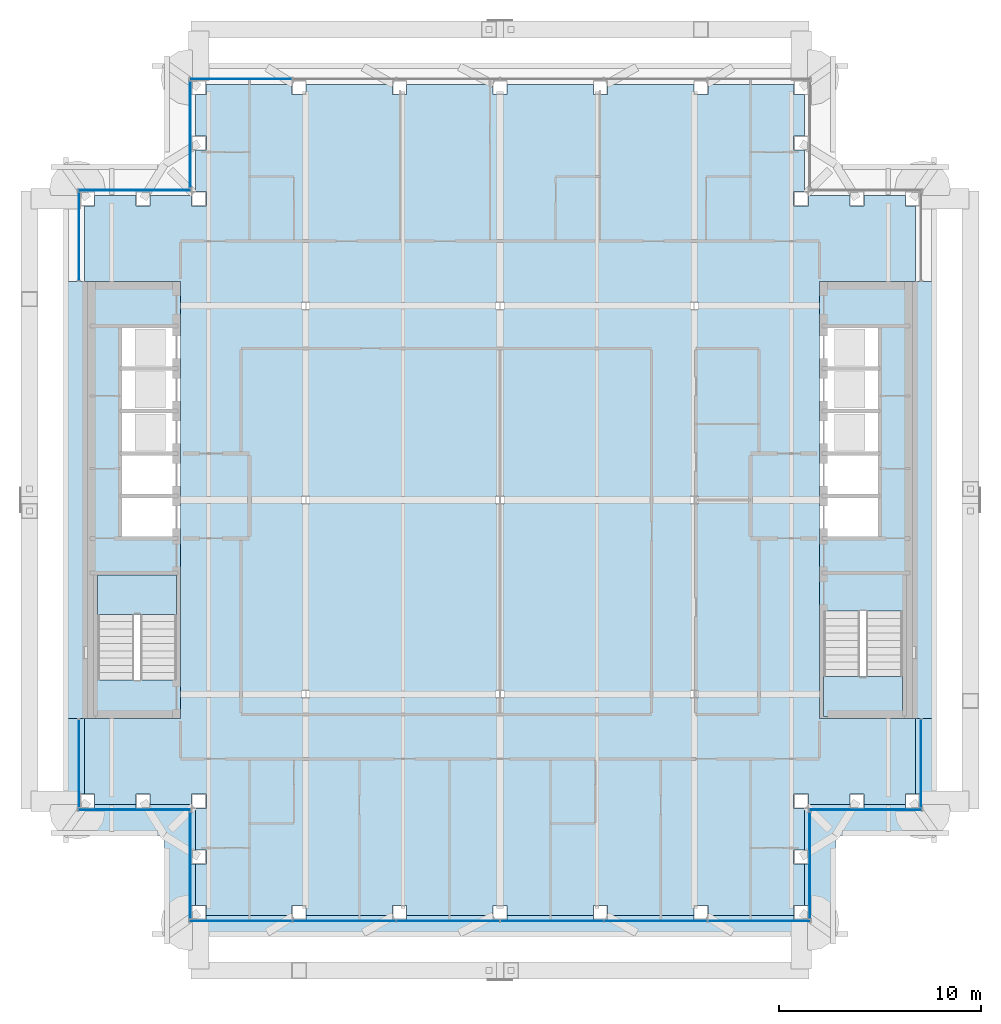
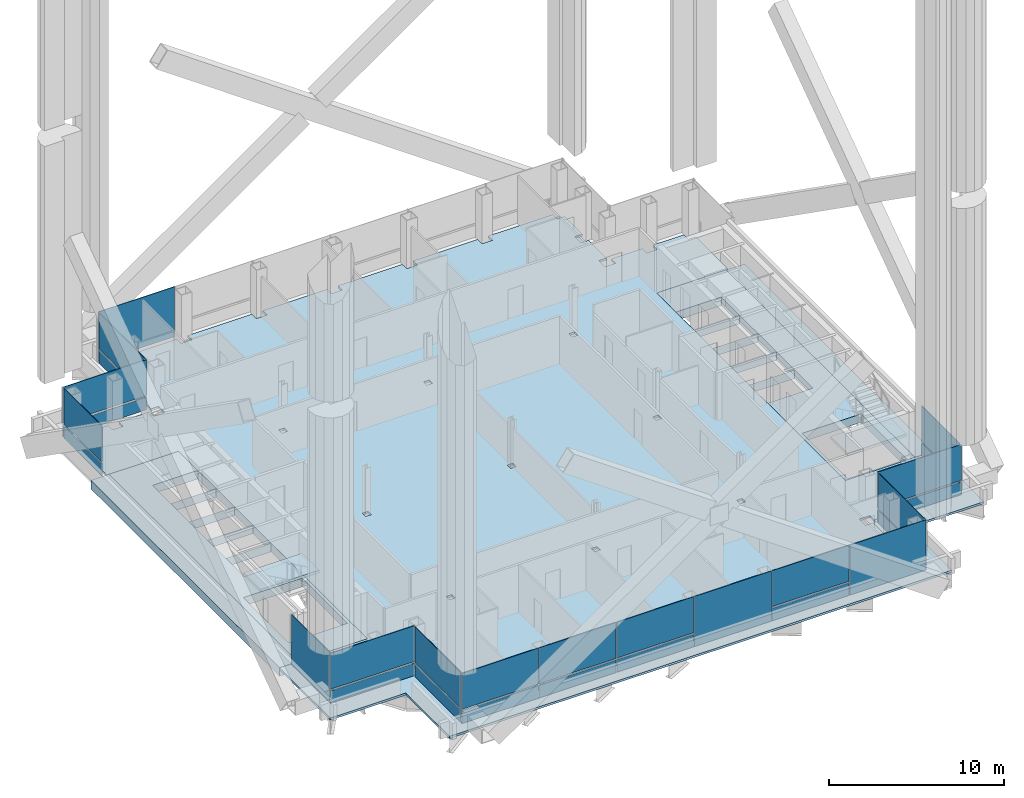
# One storey, part 12 of 22: 28 plates, 8 slabs, 13 elements without a shape of their own.
"""IFC4 building model written with IfcOpenShell, lengths in metres."""

import ifcopenshell
import ifcopenshell.guid

model = None  # the IFC model being written
_history = None  # IfcOwnerHistory: only IFC2X3 demands one
_inside = {}  # id of a spatial element -> (the spatial element, [elements in it])
_under = {}  # id of a project, library or spatial element -> (it, [spatial elements below it])
_declared = {}  # id of a project -> (the project, [libraries it declares])
_typed = {}  # id of a type object -> (the type object, [elements of that type])
_made_of = {}  # id of a material, layer set ... -> (it, [elements and type objects made of it])


def new_model(schema):
    """Start an empty IFC model of exactly this schema.

    Asked for "IFC4X3", IfcOpenShell would pick the latest addendum, in which some entities
    have other attributes; the version numbers below select the first issue.
    IFC2X3 requires an IfcOwnerHistory on every rooted entity: one is made here for all.
    """
    global model, _history
    if schema == "IFC4X3":
        model = ifcopenshell.file(schema_version=(4, 3, 0, 0))
    else:
        model = ifcopenshell.file(schema=schema)
    _inside.clear()
    _under.clear()
    _declared.clear()
    _typed.clear()
    _made_of.clear()
    _history = None
    if model.schema == "IFC2X3":
        org = make("IfcOrganization", Name="unknown")
        user = make(
            "IfcPersonAndOrganization",
            ThePerson=make("IfcPerson", FamilyName="unknown"),
            TheOrganization=org,
        )
        app = make(
            "IfcApplication",
            ApplicationDeveloper=org,
            Version="unknown",
            ApplicationFullName="unknown",
            ApplicationIdentifier="unknown",
        )
        _history = make(
            "IfcOwnerHistory",
            OwningUser=user,
            OwningApplication=app,
            ChangeAction="ADDED",
            CreationDate=0,
        )
    return model


def make(cls, **values):
    """One entity of the class cls with the attributes given. An attribute that is None is left unset."""
    return model.create_entity(
        cls, **{name: value for name, value in values.items() if value is not None}
    )


def rooted(cls, **values):
    """An entity with a GlobalId (a new one), such as an element, a storey or a relation."""
    return make(cls, GlobalId=ifcopenshell.guid.new(), OwnerHistory=_history, **values)


def si_unit(unit_type, name, prefix=None):
    """IfcSIUnit, for example si_unit("LENGTHUNIT", "METRE", prefix="MILLI")."""
    return make("IfcSIUnit", UnitType=unit_type, Prefix=prefix, Name=name)


def assignment(units):
    """IfcUnitAssignment: the units of a project."""
    return None if units is None else make("IfcUnitAssignment", Units=units)


def point(xyz):
    """IfcCartesianPoint."""
    return None if xyz is None else make("IfcCartesianPoint", Coordinates=xyz)


def direction(xyz):
    """IfcDirection."""
    return None if xyz is None else make("IfcDirection", DirectionRatios=xyz)


def frame(location, z_axis=None, x_axis=None):
    """IfcAxis2Placement3D, a coordinate frame: its origin and axes. An axis left out is left unset."""
    return make(
        "IfcAxis2Placement3D",
        Location=point(location),
        Axis=direction(z_axis),
        RefDirection=direction(x_axis),
    )


def frame_2d(location, x_axis=None):
    """IfcAxis2Placement2D, a coordinate frame in the plane: its origin and x axis."""
    return make(
        "IfcAxis2Placement2D", Location=point(location), RefDirection=direction(x_axis)
    )


def origin():
    """The frame at (0, 0, 0) with its axes left unset."""
    return frame((0.0, 0.0, 0.0))


def origin_2d():
    """The frame at (0, 0) in the plane with its x axis left unset."""
    return frame_2d((0.0, 0.0))


def place(relative_to, where):
    """IfcLocalPlacement: puts the frame where relative to a parent placement (None: the world)."""
    return make(
        "IfcLocalPlacement", PlacementRelTo=relative_to, RelativePlacement=where
    )


def context(
    kind, dimensions, precision=None, world=None, true_north=None, identifier=None
):
    """IfcGeometricRepresentationContext, for example the 3D "Model" context."""
    return make(
        "IfcGeometricRepresentationContext",
        ContextIdentifier=identifier,
        ContextType=kind,
        CoordinateSpaceDimension=dimensions,
        Precision=precision,
        WorldCoordinateSystem=world,
        TrueNorth=true_north,
    )


def subcontext(parent, identifier, kind, view, scale=None):
    """IfcGeometricRepresentationSubContext, for example "Body" below "Model"."""
    return make(
        "IfcGeometricRepresentationSubContext",
        ContextIdentifier=identifier,
        ContextType=kind,
        ParentContext=parent,
        TargetScale=scale,
        TargetView=view,
    )


def project(units=None, contexts=None):
    """IfcProject with its units and contexts."""
    return rooted(
        "IfcProject",
        Name="project",
        RepresentationContexts=contexts,
        UnitsInContext=assignment(units),
    )


def spatial(cls, under=None, at=None, **own):
    """A site, building, storey or space (cls), placed at a placement, below another one or the project."""
    s = rooted(cls, ObjectPlacement=at, **own)
    if under is not None:
        _under.setdefault(under.id(), (under, []))[1].append(s)
    return s


def polyline(points):
    """IfcPolyline through the points."""
    return make("IfcPolyline", Points=[point(p) for p in points])


def profile(cls, at=None, kind="AREA", **sizes):
    """A parametric profile (cls). Its sizes go by their IFC names, for example OverallWidth=200.0."""
    return make(cls, ProfileType=kind, Position=at, **sizes)


def rectangle(**sizes):
    """IfcRectangleProfileDef."""
    return profile("IfcRectangleProfileDef", **sizes)


def outline(outer, holes=None, kind="AREA"):
    """IfcArbitraryClosedProfileDef: a profile drawn as a closed curve; with holes, ...WithVoids."""
    if holes is None:
        return make("IfcArbitraryClosedProfileDef", ProfileType=kind, OuterCurve=outer)
    return make(
        "IfcArbitraryProfileDefWithVoids",
        ProfileType=kind,
        OuterCurve=outer,
        InnerCurves=holes,
    )


def extrude(swept, where, along, depth):
    """IfcExtrudedAreaSolid: the profile swept, set in the frame where, extruded along a direction by depth."""
    return make(
        "IfcExtrudedAreaSolid",
        SweptArea=swept,
        Position=where,
        ExtrudedDirection=direction(along),
        Depth=depth,
    )


def shape(context_of_items, identifier, shape_type, items):
    """IfcShapeRepresentation: the items that make up one representation, for example the "Body"."""
    return make(
        "IfcShapeRepresentation",
        ContextOfItems=context_of_items,
        RepresentationIdentifier=identifier,
        RepresentationType=shape_type,
        Items=items,
    )


def material(Name=None, Category=None):
    """IfcMaterial."""
    return make("IfcMaterial", Name=Name, Category=Category)


def layer(
    of_material, thickness, ventilated=None, Name=None, Category=None, Priority=None
):
    """IfcMaterialLayer: one layer of a wall or slab, of a material (None: an air gap)."""
    return make(
        "IfcMaterialLayer",
        Material=of_material,
        LayerThickness=thickness,
        IsVentilated=ventilated,
        Name=Name,
        Category=Category,
        Priority=Priority,
    )


def layer_set(layers, Name=None):
    """IfcMaterialLayerSet."""
    return make("IfcMaterialLayerSet", MaterialLayers=layers, LayerSetName=Name)


def made_of(thing, what):
    """Note that an element or type object is made of a material, layer set ...; save() writes the relation."""
    if what is not None:
        _made_of.setdefault(what.id(), (what, []))[1].append(thing)
    return thing


def type_object(cls, material=None, **own):
    """A type object (cls), such as IfcWallType, which elements share."""
    return made_of(rooted(cls, **own), material)


def element(
    cls,
    number,
    at=None,
    inside=None,
    cuts=None,
    type_object=None,
    material=None,
    context=None,
    identifier="Body",
    shape_type=None,
    held_by="IfcProductDefinitionShape",
    body=None,
    shapes=None,
    **own,
):
    """One element of the class cls, such as IfcWall. Its Tag is "e" and its number.

    at: its placement. inside: the storey or other place that contains it. cuts: it is an
    opening in that element (IfcRelVoidsElement). A single representation is given by context,
    identifier, shape_type and body (its items); several are given by shapes. held_by: the class
    of the entity that holds the representations. save() writes the other relations.
    """
    e = rooted(cls, Tag="e%d" % number, ObjectPlacement=at, **own)
    if body is not None:
        shapes = [shape(context, identifier, shape_type, body)]
    if shapes is not None:
        e.Representation = make(held_by, Representations=shapes)
    if inside is not None:
        _inside.setdefault(inside.id(), (inside, []))[1].append(e)
    if cuts is not None:
        rooted(
            "IfcRelVoidsElement", RelatingBuildingElement=cuts, RelatedOpeningElement=e
        )
    if type_object is not None:
        _typed.setdefault(type_object.id(), (type_object, []))[1].append(e)
    return made_of(e, material)


def aggregate(whole, parts):
    """IfcRelAggregates: a whole, such as a stair, and the parts it consists of."""
    return rooted("IfcRelAggregates", RelatingObject=whole, RelatedObjects=parts)


def save(model, path):
    """Write the relations noted so far, then the file.

    IfcRelAggregates (storeys below a building ...), IfcRelContainedInSpatialStructure (elements
    in a storey), IfcRelDefinesByType, IfcRelAssociatesMaterial and IfcRelDeclares: one each for
    every whole, place, type object, material and project.
    """
    for whole, parts in _under.values():
        aggregate(whole, parts)
    for where, things in _inside.values():
        rooted(
            "IfcRelContainedInSpatialStructure",
            RelatedElements=things,
            RelatingStructure=where,
        )
    for kind, things in _typed.values():
        rooted("IfcRelDefinesByType", RelatedObjects=things, RelatingType=kind)
    for what, things in _made_of.values():
        rooted("IfcRelAssociatesMaterial", RelatedObjects=things, RelatingMaterial=what)
    for by, libraries in _declared.values():
        rooted("IfcRelDeclares", RelatingContext=by, RelatedDefinitions=libraries)
    model.write(path)


model = new_model("IFC4")

# Units and contexts
model_context = context("Model", 3, precision=1e-05, world=origin(), true_north=direction((0.0, 1.0)))
body_context = subcontext(model_context, "Body", "Model", "MODEL_VIEW")
ifc_project = project(units=[si_unit("LENGTHUNIT", "METRE"), si_unit("AREAUNIT", "SQUARE_METRE"), si_unit("VOLUMEUNIT", "CUBIC_METRE"), si_unit("PLANEANGLEUNIT", "RADIAN"), si_unit("MASSUNIT", "GRAM", prefix="KILO")], contexts=[model_context])

# Site, building, storey
site_placement = place(None, origin())
site = spatial("IfcSite", under=ifc_project, at=site_placement, CompositionType="ELEMENT")
building_placement = place(site_placement, origin())
building = spatial("IfcBuilding", under=site, at=building_placement, Name="Cobrizo Arcos Hotel Tower", CompositionType="ELEMENT")
storey_placement = place(building_placement, frame((0.0, 0.0, 191.0)))
storey = spatial("IfcBuildingStorey", under=building, at=storey_placement, Name="L49", CompositionType="ELEMENT", Elevation=191.0)

# Curtain wall, plates
ifc_material_1 = material(Name="Aluminium 6063-T6 anodised bronze", Category="aluminium")
curtain_wall_type = type_object("IfcCurtainWallType", Name="CW-A guest facade", PredefinedType="NOTDEFINED", material=ifc_material_1)
curtain_wall_1_placement = place(storey_placement, origin())
curtain_wall_1 = element("IfcCurtainWall", 1, at=curtain_wall_1_placement, inside=storey, type_object=curtain_wall_type, Name="CW-A L49 S face", PredefinedType="NOTDEFINED")
ifc_material_2 = material(Name="Glass clear laminated low-e", Category="glass")
ifc_layer_1 = layer(ifc_material_2, 0.0400390625)
ifc_layer_set_1 = layer_set([ifc_layer_1], Name="CW-A glass panel")
plate_type_1 = type_object("IfcPlateType", Name="CW-A glass panel", PredefinedType="CURTAIN_PANEL", material=ifc_layer_set_1)
plate_1_placement = place(storey_placement, frame((-12.818359375, -20.824951171875, 0.990234375), z_axis=(0.0, 0.0, 1.0), x_axis=(1.0, 0.0, 0.0)))
plate_1 = element("IfcPlate", 2, at=plate_1_placement, type_object=plate_type_1, Name="CW-A glass panel 1696", PredefinedType="CURTAIN_PANEL", context=body_context, shape_type="SweptSolid", body=[
    extrude(rectangle(XDim=5.043212890625, YDim=0.0400390625, at=origin_2d()), origin(), (0.0, 0.0, 1.0), 2.510009765625),
])
plate_2_placement = place(storey_placement, frame((-7.699951171875, -20.824951171875, 0.990234375), z_axis=(0.0, 0.0, 1.0), x_axis=(1.0, 0.0, 0.0)))
plate_2 = element("IfcPlate", 3, at=plate_2_placement, type_object=plate_type_1, Name="CW-A glass panel 1697", PredefinedType="CURTAIN_PANEL", context=body_context, shape_type="SweptSolid", body=[
    extrude(rectangle(XDim=5.0732421875, YDim=0.0400390625, at=origin_2d()), origin(), (0.0, 0.0, 1.0), 2.510009765625),
])
plate_3_placement = place(storey_placement, frame((-2.566650390625, -20.824951171875, 0.990234375), z_axis=(0.0, 0.0, 1.0), x_axis=(1.0, 0.0, 0.0)))
plate_3 = element("IfcPlate", 4, at=plate_3_placement, type_object=plate_type_1, Name="CW-A glass panel 1698", PredefinedType="CURTAIN_PANEL", context=body_context, shape_type="SweptSolid", body=[
    extrude(rectangle(XDim=5.0732421875, YDim=0.0400390625, at=origin_2d()), origin(), (0.0, 0.0, 1.0), 2.510009765625),
])
plate_4_placement = place(storey_placement, frame((7.699951171875, -20.824951171875, 0.990234375), z_axis=(0.0, 0.0, 1.0), x_axis=(1.0, 0.0, 0.0)))
plate_4 = element("IfcPlate", 5, at=plate_4_placement, type_object=plate_type_1, Name="CW-A glass panel 1700", PredefinedType="CURTAIN_PANEL", context=body_context, shape_type="SweptSolid", body=[
    extrude(rectangle(XDim=5.0732421875, YDim=0.0400390625, at=origin_2d()), origin(), (0.0, 0.0, 1.0), 2.510009765625),
])

# Curtain wall, plate
curtain_wall_2_placement = place(storey_placement, origin())
curtain_wall_2 = element("IfcCurtainWall", 6, at=curtain_wall_2_placement, inside=storey, type_object=curtain_wall_type, Name="CW-A L49 E face", PredefinedType="NOTDEFINED")
plate_5_placement = place(storey_placement, frame((15.324951171875, -18.074951171875, 0.990234375), z_axis=(0.0, 0.0, 1.0), x_axis=(0.0, 1.0, 0.0)))
plate_5 = element("IfcPlate", 7, at=plate_5_placement, type_object=plate_type_1, Name="CW-A glass panel 1702", PredefinedType="CURTAIN_PANEL", context=body_context, shape_type="SweptSolid", body=[
    extrude(rectangle(XDim=5.22998046875, YDim=0.0400390625, at=origin_2d()), origin(), (0.0, 0.0, 1.0), 2.510009765625),
])

curtain_wall_3_placement = place(storey_placement, origin())
curtain_wall_3 = element("IfcCurtainWall", 8, at=curtain_wall_3_placement, inside=storey, type_object=curtain_wall_type, Name="CW-A L49 S face", PredefinedType="NOTDEFINED")
plate_6_placement = place(storey_placement, frame((18.074951171875, -15.324951171875, 0.990234375), z_axis=(0.0, 0.0, 1.0), x_axis=(1.0, 0.0, 0.0)))
plate_6 = element("IfcPlate", 9, at=plate_6_placement, type_object=plate_type_1, Name="CW-A glass panel 1703", PredefinedType="CURTAIN_PANEL", context=body_context, shape_type="SweptSolid", body=[
    extrude(rectangle(XDim=5.530029296875, YDim=0.0400390625, at=origin_2d()), origin(), (0.0, 0.0, 1.0), 2.510009765625),
])

curtain_wall_4_placement = place(storey_placement, origin())
curtain_wall_4 = element("IfcCurtainWall", 10, at=curtain_wall_4_placement, inside=storey, type_object=curtain_wall_type, Name="CW-A L49 E face", PredefinedType="NOTDEFINED")
plate_7_placement = place(storey_placement, frame((20.824951171875, -13.02490234375, 0.990234375), z_axis=(0.0, 0.0, 1.0), x_axis=(0.0, 1.0, 0.0)))
plate_7 = element("IfcPlate", 11, at=plate_7_placement, type_object=plate_type_1, Name="CW-A glass panel 1704", PredefinedType="CURTAIN_PANEL", context=body_context, shape_type="SweptSolid", body=[
    extrude(rectangle(XDim=4.330078125, YDim=0.0400390625, at=origin_2d()), origin(), (0.0, 0.0, 1.0), 2.510009765625),
])

curtain_wall_5_placement = place(storey_placement, origin())
curtain_wall_5 = element("IfcCurtainWall", 12, at=curtain_wall_5_placement, inside=storey, type_object=curtain_wall_type, Name="CW-A L49 W face", PredefinedType="NOTDEFINED")
plate_8_placement = place(storey_placement, frame((-15.324951171875, 18.074951171875, 0.990234375), z_axis=(0.0, 0.0, 1.0), x_axis=(0.0, -1.0, 0.0)))
plate_8 = element("IfcPlate", 13, at=plate_8_placement, type_object=plate_type_1, Name="CW-A glass panel 1714", PredefinedType="CURTAIN_PANEL", context=body_context, shape_type="SweptSolid", body=[
    extrude(rectangle(XDim=5.22998046875, YDim=0.0400390625, at=origin_2d()), origin(), (0.0, 0.0, 1.0), 2.510009765625),
])

curtain_wall_6_placement = place(storey_placement, origin())
curtain_wall_6 = element("IfcCurtainWall", 14, at=curtain_wall_6_placement, inside=storey, type_object=curtain_wall_type, Name="CW-A L49 N face", PredefinedType="NOTDEFINED")
plate_9_placement = place(storey_placement, frame((-18.074951171875, 15.324951171875, 0.990234375), z_axis=(0.0, 0.0, 1.0), x_axis=(-1.0, 0.0, 0.0)))
plate_9 = element("IfcPlate", 15, at=plate_9_placement, type_object=plate_type_1, Name="CW-A glass panel 1715", PredefinedType="CURTAIN_PANEL", context=body_context, shape_type="SweptSolid", body=[
    extrude(rectangle(XDim=5.530029296875, YDim=0.0400390625, at=origin_2d()), origin(), (0.0, 0.0, 1.0), 2.510009765625),
])

curtain_wall_7_placement = place(storey_placement, origin())
curtain_wall_7 = element("IfcCurtainWall", 16, at=curtain_wall_7_placement, inside=storey, type_object=curtain_wall_type, Name="CW-A L49 W face", PredefinedType="NOTDEFINED")
plate_10_placement = place(storey_placement, frame((-20.824951171875, 13.02490234375, 0.990234375), z_axis=(0.0, 0.0, 1.0), x_axis=(0.0, -1.0, 0.0)))
plate_10 = element("IfcPlate", 17, at=plate_10_placement, type_object=plate_type_1, Name="CW-A glass panel 1716", PredefinedType="CURTAIN_PANEL", context=body_context, shape_type="SweptSolid", body=[
    extrude(rectangle(XDim=4.330078125, YDim=0.0400390625, at=origin_2d()), origin(), (0.0, 0.0, 1.0), 2.510009765625),
])

curtain_wall_8_placement = place(storey_placement, origin())
curtain_wall_8 = element("IfcCurtainWall", 18, at=curtain_wall_8_placement, inside=storey, type_object=curtain_wall_type, Name="CW-A L49 S face", PredefinedType="NOTDEFINED")
plate_11_placement = place(storey_placement, frame((-18.074951171875, -15.324951171875, 0.990234375), z_axis=(0.0, 0.0, 1.0), x_axis=(1.0, 0.0, 0.0)))
plate_11 = element("IfcPlate", 19, at=plate_11_placement, type_object=plate_type_1, Name="CW-A glass panel 1718", PredefinedType="CURTAIN_PANEL", context=body_context, shape_type="SweptSolid", body=[
    extrude(rectangle(XDim=5.530029296875, YDim=0.0400390625, at=origin_2d()), origin(), (0.0, 0.0, 1.0), 2.510009765625),
])

curtain_wall_9_placement = place(storey_placement, origin())
curtain_wall_9 = element("IfcCurtainWall", 20, at=curtain_wall_9_placement, inside=storey, type_object=curtain_wall_type, Name="CW-A L49 W face", PredefinedType="NOTDEFINED")
plate_12_placement = place(storey_placement, frame((-15.324951171875, -18.074951171875, 0.990234375), z_axis=(0.0, 0.0, 1.0), x_axis=(0.0, -1.0, 0.0)))
plate_12 = element("IfcPlate", 21, at=plate_12_placement, type_object=plate_type_1, Name="CW-A glass panel 1719", PredefinedType="CURTAIN_PANEL", context=body_context, shape_type="SweptSolid", body=[
    extrude(rectangle(XDim=5.22998046875, YDim=0.0400390625, at=origin_2d()), origin(), (0.0, 0.0, 1.0), 2.510009765625),
])

# Plate
ifc_material_3 = material(Name="Aluminium composite panel pale metal", Category="aluminium")
ifc_layer_2 = layer(ifc_material_3, 0.0400390625)
ifc_layer_set_2 = layer_set([ifc_layer_2], Name="CW-A spandrel panel")
plate_type_2 = type_object("IfcPlateType", Name="CW-A spandrel panel", PredefinedType="CURTAIN_PANEL", material=ifc_layer_set_2)
plate_13_placement = place(storey_placement, frame((-12.818359375, -20.824951171875, 0.0), z_axis=(0.0, 0.0, 1.0), x_axis=(1.0, 0.0, 0.0)))
plate_13 = element("IfcPlate", 22, at=plate_13_placement, type_object=plate_type_2, Name="CW-A spandrel panel 1696", PredefinedType="CURTAIN_PANEL", context=body_context, shape_type="SweptSolid", body=[
    extrude(rectangle(XDim=5.043212890625, YDim=0.0400390625, at=origin_2d()), origin(), (0.0, 0.0, 1.0), 0.8701171875),
])

plate_14_placement = place(storey_placement, frame((-7.699951171875, -20.824951171875, 0.0), z_axis=(0.0, 0.0, 1.0), x_axis=(1.0, 0.0, 0.0)))
plate_14 = element("IfcPlate", 23, at=plate_14_placement, type_object=plate_type_2, Name="CW-A spandrel panel 1697", PredefinedType="CURTAIN_PANEL", context=body_context, shape_type="SweptSolid", body=[
    extrude(rectangle(XDim=5.0732421875, YDim=0.0400390625, at=origin_2d()), origin(), (0.0, 0.0, 1.0), 0.8701171875),
])

plate_15_placement = place(storey_placement, frame((-2.566650390625, -20.824951171875, 0.0), z_axis=(0.0, 0.0, 1.0), x_axis=(1.0, 0.0, 0.0)))
plate_15 = element("IfcPlate", 24, at=plate_15_placement, type_object=plate_type_2, Name="CW-A spandrel panel 1698", PredefinedType="CURTAIN_PANEL", context=body_context, shape_type="SweptSolid", body=[
    extrude(rectangle(XDim=5.0732421875, YDim=0.0400390625, at=origin_2d()), origin(), (0.0, 0.0, 1.0), 0.8701171875),
])

plate_16_placement = place(storey_placement, frame((2.566650390625, -20.824951171875, 0.0), z_axis=(0.0, 0.0, 1.0), x_axis=(1.0, 0.0, 0.0)))
plate_16 = element("IfcPlate", 25, at=plate_16_placement, type_object=plate_type_2, Name="CW-A spandrel panel 1699", PredefinedType="CURTAIN_PANEL", context=body_context, shape_type="SweptSolid", body=[
    extrude(rectangle(XDim=5.0732421875, YDim=0.0400390625, at=origin_2d()), origin(), (0.0, 0.0, 1.0), 3.5),
])

plate_17_placement = place(storey_placement, frame((7.699951171875, -20.824951171875, 0.0), z_axis=(0.0, 0.0, 1.0), x_axis=(1.0, 0.0, 0.0)))
plate_17 = element("IfcPlate", 26, at=plate_17_placement, type_object=plate_type_2, Name="CW-A spandrel panel 1700", PredefinedType="CURTAIN_PANEL", context=body_context, shape_type="SweptSolid", body=[
    extrude(rectangle(XDim=5.0732421875, YDim=0.0400390625, at=origin_2d()), origin(), (0.0, 0.0, 1.0), 0.8701171875),
])

plate_18_placement = place(storey_placement, frame((12.818359375, -20.824951171875, 0.0), z_axis=(0.0, 0.0, 1.0), x_axis=(1.0, 0.0, 0.0)))
plate_18 = element("IfcPlate", 27, at=plate_18_placement, type_object=plate_type_2, Name="CW-A spandrel panel 1701", PredefinedType="CURTAIN_PANEL", context=body_context, shape_type="SweptSolid", body=[
    extrude(rectangle(XDim=5.043212890625, YDim=0.0400390625, at=origin_2d()), origin(), (0.0, 0.0, 1.0), 3.5),
])

aggregate(curtain_wall_1, [plate_13, plate_1, plate_14, plate_2, plate_15, plate_3, plate_16, plate_17, plate_4, plate_18])

plate_19_placement = place(storey_placement, frame((15.324951171875, -18.074951171875, 0.0), z_axis=(0.0, 0.0, 1.0), x_axis=(0.0, 1.0, 0.0)))
plate_19 = element("IfcPlate", 28, at=plate_19_placement, type_object=plate_type_2, Name="CW-A spandrel panel 1702", PredefinedType="CURTAIN_PANEL", context=body_context, shape_type="SweptSolid", body=[
    extrude(rectangle(XDim=5.22998046875, YDim=0.0400390625, at=origin_2d()), origin(), (0.0, 0.0, 1.0), 0.8701171875),
])

aggregate(curtain_wall_2, [plate_19, plate_5])

plate_20_placement = place(storey_placement, frame((18.074951171875, -15.324951171875, 0.0), z_axis=(0.0, 0.0, 1.0), x_axis=(1.0, 0.0, 0.0)))
plate_20 = element("IfcPlate", 29, at=plate_20_placement, type_object=plate_type_2, Name="CW-A spandrel panel 1703", PredefinedType="CURTAIN_PANEL", context=body_context, shape_type="SweptSolid", body=[
    extrude(rectangle(XDim=5.530029296875, YDim=0.0400390625, at=origin_2d()), origin(), (0.0, 0.0, 1.0), 0.8701171875),
])

aggregate(curtain_wall_3, [plate_20, plate_6])

plate_21_placement = place(storey_placement, frame((20.824951171875, -13.02490234375, 0.0), z_axis=(0.0, 0.0, 1.0), x_axis=(0.0, 1.0, 0.0)))
plate_21 = element("IfcPlate", 30, at=plate_21_placement, type_object=plate_type_2, Name="CW-A spandrel panel 1704", PredefinedType="CURTAIN_PANEL", context=body_context, shape_type="SweptSolid", body=[
    extrude(rectangle(XDim=4.330078125, YDim=0.0400390625, at=origin_2d()), origin(), (0.0, 0.0, 1.0), 0.8701171875),
])

aggregate(curtain_wall_4, [plate_21, plate_7])

# Curtain wall, plate
curtain_wall_10_placement = place(storey_placement, origin())
curtain_wall_10 = element("IfcCurtainWall", 31, at=curtain_wall_10_placement, inside=storey, type_object=curtain_wall_type, Name="CW-A L49 N face", PredefinedType="NOTDEFINED")
plate_22_placement = place(storey_placement, frame((-12.818359375, 20.824951171875, 0.0), z_axis=(0.0, 0.0, 1.0), x_axis=(-1.0, 0.0, 0.0)))
plate_22 = element("IfcPlate", 32, at=plate_22_placement, type_object=plate_type_2, Name="CW-A spandrel panel 1713", PredefinedType="CURTAIN_PANEL", context=body_context, shape_type="SweptSolid", body=[
    extrude(rectangle(XDim=5.043212890625, YDim=0.0400390625, at=origin_2d()), origin(), (0.0, 0.0, 1.0), 3.5),
])
aggregate(curtain_wall_10, [plate_22])

# Plate
plate_23_placement = place(storey_placement, frame((-15.324951171875, 18.074951171875, 0.0), z_axis=(0.0, 0.0, 1.0), x_axis=(0.0, -1.0, 0.0)))
plate_23 = element("IfcPlate", 33, at=plate_23_placement, type_object=plate_type_2, Name="CW-A spandrel panel 1714", PredefinedType="CURTAIN_PANEL", context=body_context, shape_type="SweptSolid", body=[
    extrude(rectangle(XDim=5.22998046875, YDim=0.0400390625, at=origin_2d()), origin(), (0.0, 0.0, 1.0), 0.8701171875),
])

aggregate(curtain_wall_5, [plate_23, plate_8])

plate_24_placement = place(storey_placement, frame((-18.074951171875, 15.324951171875, 0.0), z_axis=(0.0, 0.0, 1.0), x_axis=(-1.0, 0.0, 0.0)))
plate_24 = element("IfcPlate", 34, at=plate_24_placement, type_object=plate_type_2, Name="CW-A spandrel panel 1715", PredefinedType="CURTAIN_PANEL", context=body_context, shape_type="SweptSolid", body=[
    extrude(rectangle(XDim=5.530029296875, YDim=0.0400390625, at=origin_2d()), origin(), (0.0, 0.0, 1.0), 0.8701171875),
])

aggregate(curtain_wall_6, [plate_24, plate_9])

plate_25_placement = place(storey_placement, frame((-20.824951171875, 13.02490234375, 0.0), z_axis=(0.0, 0.0, 1.0), x_axis=(0.0, -1.0, 0.0)))
plate_25 = element("IfcPlate", 35, at=plate_25_placement, type_object=plate_type_2, Name="CW-A spandrel panel 1716", PredefinedType="CURTAIN_PANEL", context=body_context, shape_type="SweptSolid", body=[
    extrude(rectangle(XDim=4.330078125, YDim=0.0400390625, at=origin_2d()), origin(), (0.0, 0.0, 1.0), 0.8701171875),
])

aggregate(curtain_wall_7, [plate_25, plate_10])

# Curtain wall, plate
curtain_wall_11_placement = place(storey_placement, origin())
curtain_wall_11 = element("IfcCurtainWall", 36, at=curtain_wall_11_placement, inside=storey, type_object=curtain_wall_type, Name="CW-A L49 W face", PredefinedType="NOTDEFINED")
plate_26_placement = place(storey_placement, frame((-20.824951171875, -13.02490234375, 0.0), z_axis=(0.0, 0.0, 1.0), x_axis=(0.0, -1.0, 0.0)))
plate_26 = element("IfcPlate", 37, at=plate_26_placement, type_object=plate_type_2, Name="CW-A spandrel panel 1717", PredefinedType="CURTAIN_PANEL", context=body_context, shape_type="SweptSolid", body=[
    extrude(rectangle(XDim=4.330078125, YDim=0.0400390625, at=origin_2d()), origin(), (0.0, 0.0, 1.0), 3.5),
])
aggregate(curtain_wall_11, [plate_26])

# Plate
plate_27_placement = place(storey_placement, frame((-18.074951171875, -15.324951171875, 0.0), z_axis=(0.0, 0.0, 1.0), x_axis=(1.0, 0.0, 0.0)))
plate_27 = element("IfcPlate", 38, at=plate_27_placement, type_object=plate_type_2, Name="CW-A spandrel panel 1718", PredefinedType="CURTAIN_PANEL", context=body_context, shape_type="SweptSolid", body=[
    extrude(rectangle(XDim=5.530029296875, YDim=0.0400390625, at=origin_2d()), origin(), (0.0, 0.0, 1.0), 0.8701171875),
])

aggregate(curtain_wall_8, [plate_27, plate_11])

plate_28_placement = place(storey_placement, frame((-15.324951171875, -18.074951171875, 0.0), z_axis=(0.0, 0.0, 1.0), x_axis=(0.0, -1.0, 0.0)))
plate_28 = element("IfcPlate", 39, at=plate_28_placement, type_object=plate_type_2, Name="CW-A spandrel panel 1719", PredefinedType="CURTAIN_PANEL", context=body_context, shape_type="SweptSolid", body=[
    extrude(rectangle(XDim=5.22998046875, YDim=0.0400390625, at=origin_2d()), origin(), (0.0, 0.0, 1.0), 0.8701171875),
])

aggregate(curtain_wall_9, [plate_28, plate_12])

# Slabs
ifc_material_4 = material(Name="Concrete f'c 35 MPa", Category="concrete")
ifc_layer_3 = layer(ifc_material_4, 0.14990234375)
ifc_layer_set_3 = layer_set([ifc_layer_3], Name="Composite floor slab 150 f'c 35")
slab_type_1 = type_object("IfcSlabType", Name="Composite floor slab 150 f'c 35", PredefinedType="FLOOR", material=ifc_layer_set_3)
slab_1_placement = place(storey_placement, frame((0.0, 0.0, -0.14990234375)))
element("IfcSlab", 40, at=slab_1_placement, inside=storey, type_object=slab_type_1, Name="Floor slab S5, L49, no. 01", PredefinedType="FLOOR", context=body_context, shape_type="SweptSolid", body=[
    extrude(outline(polyline([(-20.550048828125, -10.800048828125), (-20.39990234375, -10.800048828125), (-15.800048828125, -10.800048828125), (-15.800048828125, 10.800048828125), (-20.39990234375, 10.800048828125), (-20.550048828125, 10.800048828125), (-20.550048828125, 14.550048828125), (-20.050048828125, 14.550048828125), (-20.050048828125, 15.050048828125), (-18.0, 15.050048828125), (-18.0, 14.550048828125), (-17.300048828125, 14.550048828125), (-17.300048828125, 15.050048828125), (-15.25, 15.050048828125), (-15.25, 14.550048828125), (-14.550048828125, 14.550048828125), (-14.550048828125, 15.25), (-15.050048828125, 15.25), (-15.050048828125, 17.300048828125), (-14.550048828125, 17.300048828125), (-14.550048828125, 18.0), (-15.050048828125, 18.0), (-15.050048828125, 20.050048828125), (-14.550048828125, 20.050048828125), (-14.550048828125, 20.550048828125), (-10.282958984375, 20.550048828125), (-10.282958984375, 20.050048828125), (-9.5830078125, 20.050048828125), (-9.5830078125, 20.550048828125), (-5.31689453125, 20.550048828125), (-5.31689453125, 20.050048828125), (-4.616943359375, 20.050048828125), (-4.616943359375, 20.550048828125), (-0.35009765625, 20.550048828125), (-0.35009765625, 20.050048828125), (0.35009765625, 20.050048828125), (0.35009765625, 20.550048828125), (4.616943359375, 20.550048828125), (4.616943359375, 20.050048828125), (5.31689453125, 20.050048828125), (5.31689453125, 20.550048828125), (9.5830078125, 20.550048828125), (9.5830078125, 20.050048828125), (10.282958984375, 20.050048828125), (10.282958984375, 20.550048828125), (14.550048828125, 20.550048828125), (14.550048828125, 20.050048828125), (15.050048828125, 20.050048828125), (15.050048828125, 18.0), (14.550048828125, 18.0), (14.550048828125, 17.300048828125), (15.050048828125, 17.300048828125), (15.050048828125, 15.25), (14.550048828125, 15.25), (14.550048828125, 14.550048828125), (15.25, 14.550048828125), (15.25, 15.050048828125), (17.300048828125, 15.050048828125), (17.300048828125, 14.550048828125), (18.0, 14.550048828125), (18.0, 15.050048828125), (20.050048828125, 15.050048828125), (20.050048828125, 14.550048828125), (20.550048828125, 14.550048828125), (20.550048828125, 10.800048828125), (20.39990234375, 10.800048828125), (15.800048828125, 10.800048828125), (15.800048828125, -10.800048828125), (20.39990234375, -10.800048828125), (20.550048828125, -10.800048828125), (20.550048828125, -14.550048828125), (20.050048828125, -14.550048828125), (20.050048828125, -15.050048828125), (18.0, -15.050048828125), (18.0, -14.550048828125), (17.300048828125, -14.550048828125), (17.300048828125, -15.050048828125), (15.25, -15.050048828125), (15.25, -14.550048828125), (14.550048828125, -14.550048828125), (14.550048828125, -15.25), (15.050048828125, -15.25), (15.050048828125, -17.300048828125), (14.550048828125, -17.300048828125), (14.550048828125, -18.0), (15.050048828125, -18.0), (15.050048828125, -20.050048828125), (14.550048828125, -20.050048828125), (14.550048828125, -20.550048828125), (10.282958984375, -20.550048828125), (10.282958984375, -20.050048828125), (9.5830078125, -20.050048828125), (9.5830078125, -20.550048828125), (5.31689453125, -20.550048828125), (5.31689453125, -20.050048828125), (4.616943359375, -20.050048828125), (4.616943359375, -20.550048828125), (0.35009765625, -20.550048828125), (0.35009765625, -20.050048828125), (-0.35009765625, -20.050048828125), (-0.35009765625, -20.550048828125), (-4.616943359375, -20.550048828125), (-4.616943359375, -20.050048828125), (-5.31689453125, -20.050048828125), (-5.31689453125, -20.550048828125), (-9.5830078125, -20.550048828125), (-9.5830078125, -20.050048828125), (-10.282958984375, -20.050048828125), (-10.282958984375, -20.550048828125), (-14.550048828125, -20.550048828125), (-14.550048828125, -20.050048828125), (-15.050048828125, -20.050048828125), (-15.050048828125, -18.0), (-14.550048828125, -18.0), (-14.550048828125, -17.300048828125), (-15.050048828125, -17.300048828125), (-15.050048828125, -15.25), (-14.550048828125, -15.25), (-14.550048828125, -14.550048828125), (-15.25, -14.550048828125), (-15.25, -15.050048828125), (-17.300048828125, -15.050048828125), (-17.300048828125, -14.550048828125), (-18.0, -14.550048828125), (-18.0, -15.050048828125), (-20.050048828125, -15.050048828125), (-20.050048828125, -14.550048828125), (-20.550048828125, -14.550048828125), (-20.550048828125, -10.800048828125)]), holes=[polyline([(-9.413330078125, -9.78662109375), (-9.413330078125, -9.413330078125), (-9.78662109375, -9.413330078125), (-9.78662109375, -9.78662109375), (-9.413330078125, -9.78662109375)]), polyline([(-0.186767578125, -9.78662109375), (0.186767578125, -9.78662109375), (0.186767578125, -9.413330078125), (-0.186767578125, -9.413330078125), (-0.186767578125, -9.78662109375)]), polyline([(9.413330078125, -9.78662109375), (9.78662109375, -9.78662109375), (9.78662109375, -9.413330078125), (9.413330078125, -9.413330078125), (9.413330078125, -9.78662109375)]), polyline([(-9.413330078125, -0.186767578125), (-9.413330078125, 0.186767578125), (-9.78662109375, 0.186767578125), (-9.78662109375, -0.186767578125), (-9.413330078125, -0.186767578125)]), polyline([(0.186767578125, -0.186767578125), (0.186767578125, 0.186767578125), (-0.186767578125, 0.186767578125), (-0.186767578125, -0.186767578125), (0.186767578125, -0.186767578125)]), polyline([(9.78662109375, -0.186767578125), (9.78662109375, 0.186767578125), (9.413330078125, 0.186767578125), (9.413330078125, -0.186767578125), (9.78662109375, -0.186767578125)]), polyline([(-9.78662109375, 9.413330078125), (-9.413330078125, 9.413330078125), (-9.413330078125, 9.78662109375), (-9.78662109375, 9.78662109375), (-9.78662109375, 9.413330078125)]), polyline([(-0.186767578125, 9.413330078125), (0.186767578125, 9.413330078125), (0.186767578125, 9.78662109375), (-0.186767578125, 9.78662109375), (-0.186767578125, 9.413330078125)]), polyline([(9.78662109375, 9.413330078125), (9.78662109375, 9.78662109375), (9.413330078125, 9.78662109375), (9.413330078125, 9.413330078125), (9.78662109375, 9.413330078125)])]), origin(), (0.0, 0.0, 1.0), 0.14990234375),
])
ifc_material_5 = material(Name="Concrete f'c 40 MPa", Category="concrete")
ifc_layer_4 = layer(ifc_material_5, 0.60009765625)
ifc_layer_set_4 = layer_set([ifc_layer_4], Name="RC core floor slab 600 f'c 40")
slab_type_2 = type_object("IfcSlabType", Name="RC core floor slab 600 f'c 40", PredefinedType="FLOOR", material=ifc_layer_set_4)
slab_2_placement = place(storey_placement, frame((0.0, 0.0, -0.60009765625)))
element("IfcSlab", 41, at=slab_2_placement, inside=storey, type_object=slab_type_2, Name="Core floor slab CS6, east core, L49", PredefinedType="FLOOR", context=body_context, shape_type="SweptSolid", body=[
    extrude(outline(polyline([(15.800048828125, 10.800048828125), (20.39990234375, 10.800048828125), (20.39990234375, -10.800048828125), (15.800048828125, -10.800048828125), (15.800048828125, 10.800048828125)]), holes=[polyline([(19.89794921875, -10.697998046875), (19.89794921875, -5.501953125), (16.001953125, -5.501953125), (16.001953125, -10.697998046875), (19.89794921875, -10.697998046875)]), polyline([(15.802001953125, 0.197998046875), (15.802001953125, -1.89794921875), (18.798095703125, -1.89794921875), (18.798095703125, 0.197998046875), (15.802001953125, 0.197998046875)]), polyline([(15.802001953125, 2.298095703125), (15.802001953125, 0.201904296875), (18.798095703125, 0.201904296875), (18.798095703125, 2.298095703125), (15.802001953125, 2.298095703125)]), polyline([(15.802001953125, 4.39794921875), (15.802001953125, 2.302001953125), (18.798095703125, 2.302001953125), (18.798095703125, 4.39794921875), (15.802001953125, 4.39794921875)]), polyline([(18.798095703125, 6.498046875), (15.802001953125, 6.498046875), (15.802001953125, 4.402099609375), (18.798095703125, 4.402099609375), (18.798095703125, 6.498046875)]), polyline([(18.798095703125, 8.597900390625), (15.802001953125, 8.597900390625), (15.802001953125, 6.501953125), (18.798095703125, 6.501953125), (18.798095703125, 8.597900390625)])]), origin(), (0.0, 0.0, 1.0), 0.60009765625),
])
slab_3_placement = place(storey_placement, frame((0.0, 0.0, -0.60009765625)))
element("IfcSlab", 42, at=slab_3_placement, inside=storey, type_object=slab_type_2, Name="Core floor slab CS6, west core, L49", PredefinedType="FLOOR", context=body_context, shape_type="SweptSolid", body=[
    extrude(outline(polyline([(-20.39990234375, 10.800048828125), (-15.800048828125, 10.800048828125), (-15.800048828125, -10.800048828125), (-20.39990234375, -10.800048828125), (-20.39990234375, 10.800048828125)]), holes=[polyline([(-19.89794921875, -3.701904296875), (-19.89794921875, -8.89794921875), (-16.001953125, -8.89794921875), (-16.001953125, -3.701904296875), (-19.89794921875, -3.701904296875)]), polyline([(-18.798095703125, 0.197998046875), (-18.798095703125, -1.89794921875), (-15.802001953125, -1.89794921875), (-15.802001953125, 0.197998046875), (-18.798095703125, 0.197998046875)]), polyline([(-18.798095703125, 2.298095703125), (-18.798095703125, 0.201904296875), (-15.802001953125, 0.201904296875), (-15.802001953125, 2.298095703125), (-18.798095703125, 2.298095703125)]), polyline([(-18.798095703125, 4.39794921875), (-18.798095703125, 2.302001953125), (-15.802001953125, 2.302001953125), (-15.802001953125, 4.39794921875), (-18.798095703125, 4.39794921875)]), polyline([(-15.802001953125, 6.498046875), (-18.798095703125, 6.498046875), (-18.798095703125, 4.402099609375), (-15.802001953125, 4.402099609375), (-15.802001953125, 6.498046875)]), polyline([(-15.802001953125, 8.597900390625), (-18.798095703125, 8.597900390625), (-18.798095703125, 6.501953125), (-15.802001953125, 6.501953125), (-15.802001953125, 8.597900390625)])]), origin(), (0.0, 0.0, 1.0), 0.60009765625),
])
ifc_material_6 = material(Name="Concrete f'c 50 MPa", Category="concrete")
ifc_layer_5 = layer(ifc_material_6, 0.60009765625)
ifc_layer_set_5 = layer_set([ifc_layer_5], Name="RC core roof slab 600 f'c 50")
slab_type_3 = type_object("IfcSlabType", Name="RC core roof slab 600 f'c 50", PredefinedType="ROOF", material=ifc_layer_set_5)
slab_4_placement = place(storey_placement, frame((0.0, 0.0, -0.60009765625)))
element("IfcSlab", 43, at=slab_4_placement, inside=storey, type_object=slab_type_3, Name="Core roof slab CR3, L49, no. 1", PredefinedType="ROOF", context=body_context, shape_type="SweptSolid", body=[
    extrude(outline(polyline([(-21.60009765625, -10.800048828125), (-21.60009765625, 10.800048828125), (-20.39990234375, 10.800048828125), (-20.39990234375, -10.800048828125), (-21.60009765625, -10.800048828125)])), origin(), (0.0, 0.0, 1.0), 0.60009765625),
])
slab_5_placement = place(storey_placement, frame((0.0, 0.0, -0.60009765625)))
element("IfcSlab", 44, at=slab_5_placement, inside=storey, type_object=slab_type_3, Name="Core roof slab CR3, L49, no. 2", PredefinedType="ROOF", context=body_context, shape_type="SweptSolid", body=[
    extrude(outline(polyline([(21.60009765625, 10.800048828125), (21.60009765625, -10.800048828125), (20.39990234375, -10.800048828125), (20.39990234375, 10.800048828125), (21.60009765625, 10.800048828125)])), origin(), (0.0, 0.0, 1.0), 0.60009765625),
])
ifc_layer_6 = layer(ifc_material_4, 0.14990234375)
ifc_layer_set_6 = layer_set([ifc_layer_6], Name="RC roof slab 150 f'c 35")
slab_type_4 = type_object("IfcSlabType", Name="RC roof slab 150 f'c 35", PredefinedType="ROOF", material=ifc_layer_set_6)
slab_6_placement = place(storey_placement, frame((0.0, 0.0, -0.14990234375)))
element("IfcSlab", 45, at=slab_6_placement, inside=storey, type_object=slab_type_4, Name="Roof slab RS5, L49, no. 01", PredefinedType="ROOF", context=body_context, shape_type="SweptSolid", body=[
    extrude(outline(polyline([(-21.60009765625, -10.800048828125), (-20.550048828125, -10.800048828125), (-20.550048828125, -14.550048828125), (-20.75, -14.550048828125), (-20.75, -15.25), (-20.050048828125, -15.25), (-20.050048828125, -15.050048828125), (-18.0, -15.050048828125), (-18.0, -15.25), (-17.300048828125, -15.25), (-17.300048828125, -15.050048828125), (-15.25, -15.050048828125), (-15.25, -15.25), (-15.050048828125, -15.25), (-15.050048828125, -17.300048828125), (-15.25, -17.300048828125), (-15.25, -18.0), (-15.050048828125, -18.0), (-15.050048828125, -20.050048828125), (-15.25, -20.050048828125), (-15.25, -20.75), (-14.550048828125, -20.75), (-14.550048828125, -20.550048828125), (-10.282958984375, -20.550048828125), (-10.282958984375, -20.75), (-9.5830078125, -20.75), (-9.5830078125, -20.550048828125), (-5.31689453125, -20.550048828125), (-5.31689453125, -20.75), (-4.616943359375, -20.75), (-4.616943359375, -20.550048828125), (-0.35009765625, -20.550048828125), (-0.35009765625, -20.75), (0.35009765625, -20.75), (0.35009765625, -20.550048828125), (4.616943359375, -20.550048828125), (4.616943359375, -20.75), (5.31689453125, -20.75), (5.31689453125, -20.550048828125), (9.5830078125, -20.550048828125), (9.5830078125, -20.75), (10.282958984375, -20.75), (10.282958984375, -20.550048828125), (14.550048828125, -20.550048828125), (14.550048828125, -20.75), (15.25, -20.75), (15.25, -20.050048828125), (15.050048828125, -20.050048828125), (15.050048828125, -18.0), (15.25, -18.0), (15.25, -17.300048828125), (15.050048828125, -17.300048828125), (15.050048828125, -15.25), (15.25, -15.25), (15.25, -15.050048828125), (17.300048828125, -15.050048828125), (17.300048828125, -15.25), (18.0, -15.25), (18.0, -15.050048828125), (20.050048828125, -15.050048828125), (20.050048828125, -15.25), (20.75, -15.25), (20.75, -14.550048828125), (20.550048828125, -14.550048828125), (20.550048828125, -10.800048828125), (21.60009765625, -10.800048828125), (21.60009765625, -16.60009765625), (16.60009765625, -16.60009765625), (16.60009765625, -21.60009765625), (-16.60009765625, -21.60009765625), (-16.60009765625, -16.60009765625), (-21.60009765625, -16.60009765625), (-21.60009765625, -10.800048828125)])), origin(), (0.0, 0.0, 1.0), 0.14990234375),
])

# Stair, slab
stair_type = type_object("IfcStairType", Name="Exit stair", PredefinedType="HALF_TURN_STAIR", material=ifc_material_5)
stair_1_placement = place(storey_placement, origin())
stair_1 = element("IfcStair", 46, at=stair_1_placement, inside=storey, type_object=stair_type, Name="L49 Exit stair ST-W", PredefinedType="HALF_TURN_STAIR")
ifc_layer_7 = layer(ifc_material_5, 0.199951171875)
ifc_layer_set_7 = layer_set([ifc_layer_7], Name="Stair landing")
slab_type_5 = type_object("IfcSlabType", Name="Stair landing", PredefinedType="LANDING", material=ifc_layer_set_7)
slab_7_placement = place(storey_placement, frame((0.0, 0.0, 1.550048828125)))
slab_7 = element("IfcSlab", 47, at=slab_7_placement, type_object=slab_type_5, Name="ST-W landing 1", PredefinedType="LANDING", context=body_context, shape_type="SweptSolid", body=[
    extrude(outline(polyline([(-16.0, -5.659912109375), (-16.0, -3.699951171875), (-19.89990234375, -3.699951171875), (-19.89990234375, -5.659912109375), (-16.0, -5.659912109375)])), origin(), (0.0, 0.0, 1.0), 0.199951171875),
])
aggregate(stair_1, [slab_7])

stair_2_placement = place(storey_placement, origin())
stair_2 = element("IfcStair", 48, at=stair_2_placement, inside=storey, type_object=stair_type, Name="L49 Exit stair ST-E", PredefinedType="HALF_TURN_STAIR")
slab_8_placement = place(storey_placement, frame((0.0, 0.0, 1.550048828125)))
slab_8 = element("IfcSlab", 49, at=slab_8_placement, type_object=slab_type_5, Name="ST-E landing 1", PredefinedType="LANDING", context=body_context, shape_type="SweptSolid", body=[
    extrude(outline(polyline([(16.0, -8.739990234375), (16.0, -10.699951171875), (19.89990234375, -10.699951171875), (19.89990234375, -8.739990234375), (16.0, -8.739990234375)])), origin(), (0.0, 0.0, 1.0), 0.199951171875),
])
aggregate(stair_2, [slab_8])

save(model, "model.ifc")
